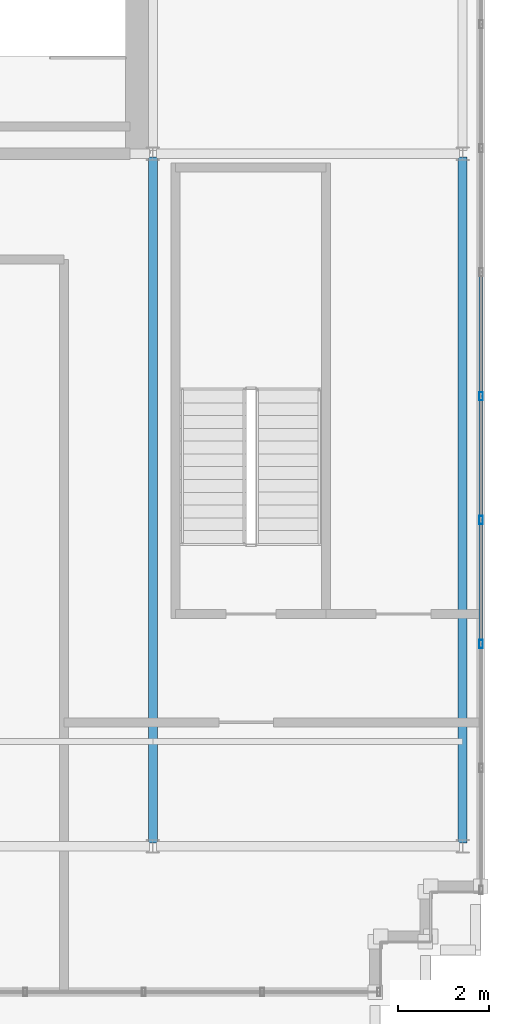
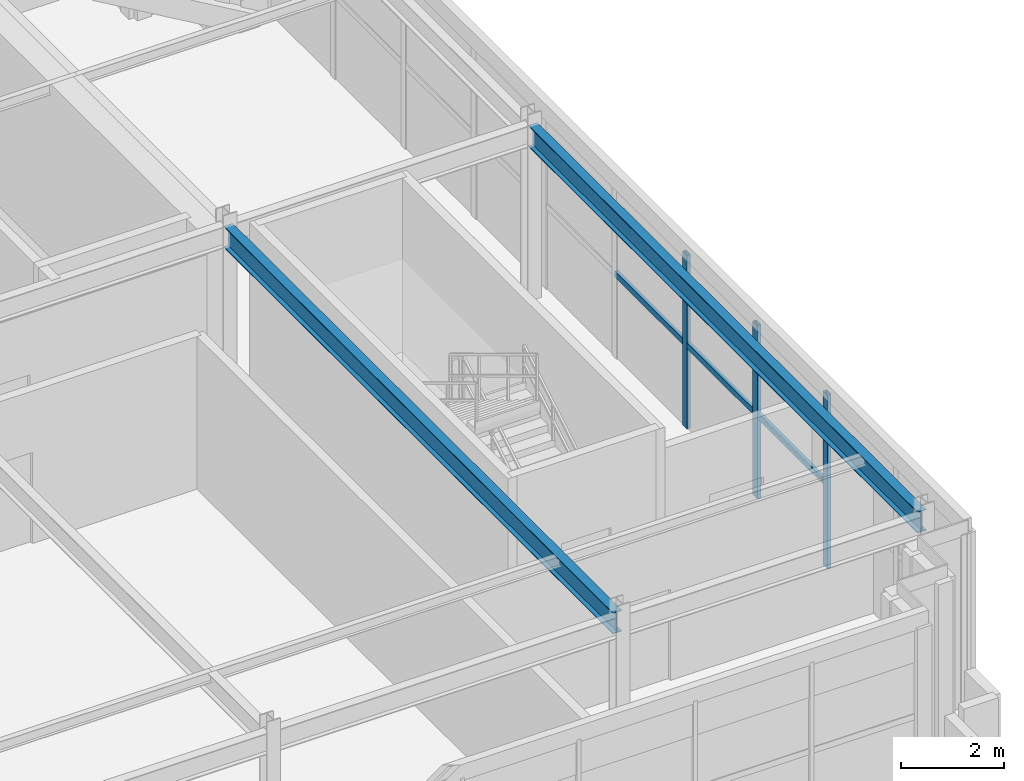
# One storey, part 19 of 37: 6 members, 2 beams, 1 element without a shape of its own.
"""IFC4 building model written with IfcOpenShell, lengths in metres."""

from ifc_helpers import new_model, si_unit, direction, frame, origin, origin_2d, place, context, subcontext, project, spatial, hollow_rectangle, i_section, extrude, source, transform, mapped, material, material_profile, profile_set, type_object, element, aggregate, save


model = new_model("IFC4")

# Units and contexts
model_context = context("Model", 3, precision=1e-05, world=origin(), true_north=direction((0.0, 1.0)))
body_context = subcontext(model_context, "Body", "Model", "MODEL_VIEW")
ifc_project = project(units=[si_unit("LENGTHUNIT", "METRE"), si_unit("AREAUNIT", "SQUARE_METRE"), si_unit("VOLUMEUNIT", "CUBIC_METRE"), si_unit("PLANEANGLEUNIT", "RADIAN"), si_unit("MASSUNIT", "GRAM", prefix="KILO")], contexts=[model_context])

# Site, building, storey
site_placement = place(None, origin())
site = spatial("IfcSite", under=ifc_project, at=site_placement, CompositionType="ELEMENT")
building_placement = place(site_placement, origin())
building = spatial("IfcBuilding", under=site, at=building_placement, Name="Trelvane Seafront Commons", CompositionType="ELEMENT")
storey_placement = place(building_placement, frame((0.0, 0.0, 303.5)))
storey = spatial("IfcBuildingStorey", under=building, at=storey_placement, Name="L79", CompositionType="ELEMENT", Elevation=303.5)

# Beams
ifc_material_1 = material(Name="Steel SM355 (S355)", Category="steel")
ifc_material_profile_1 = material_profile(ifc_material_1, i_section(OverallWidth=0.199951171875, OverallDepth=0.5, WebThickness=0.010009765625, FlangeThickness=0.01611328125, at=origin_2d()), Name="H-500x200x10x16")
ifc_profile_set_1 = profile_set([ifc_material_profile_1], Name="Steel SM355 (S355)")
beam_type = type_object("IfcBeamType", Name="STR-BM-H500", PredefinedType="BEAM", material=ifc_profile_set_1)
shared_shape_1 = source(origin(), body_context, "Body", "SweptSolid", [
    extrude(i_section(OverallWidth=0.199951171875, OverallDepth=0.5, WebThickness=0.010009765625, FlangeThickness=0.01611328125, at=origin_2d()), origin(), (0.0, 0.0, 1.0), 15.050048828125),
])
for number, where, z_axis, x_axis, name in (
    (1, (58.800048828125, 18.27490234375, 3.85009765625), (0.0, 1.0, 0.0), (-1.0, 0.0, 0.0), "L79 Primary Girder G-34"),
    (2, (65.60009765625, 18.27490234375, 3.85009765625), (0.0, 1.0, 0.0), (-1.0, 0.0, 0.0), "L79 Primary Girder G-36"),
):
    element("IfcBeam", number, at=place(storey_placement, frame(where, z_axis=z_axis, x_axis=x_axis)), inside=storey, type_object=beam_type, Name=name, PredefinedType="BEAM", context=body_context, shape_type="MappedRepresentation", body=[
        mapped(shared_shape_1, transform((0.0, 0.0, 0.0), x_axis=(1.0, 0.0, 0.0), y_axis=(0.0, 1.0, 0.0), z_axis=(0.0, 0.0, 1.0), scale=1.0)),
    ])

# Curtain wall, members
ifc_material_2 = material(Name="Anodised pale-silver aluminium", Category="aluminium")
curtain_wall_type = type_object("IfcCurtainWallType", Name="ARCH-CW6-CROWN", PredefinedType="NOTDEFINED", material=ifc_material_2)
curtain_wall_placement = place(storey_placement, origin())
curtain_wall = element("IfcCurtainWall", 3, at=curtain_wall_placement, inside=storey, type_object=curtain_wall_type, Name="CW-L79-0130", PredefinedType="NOTDEFINED")
ifc_material_profile_2 = material_profile(ifc_material_2, hollow_rectangle(XDim=0.080078125, YDim=0.179931640625, WallThickness=0.00439453125, at=origin_2d()), Name="MULL-80x180x4.5")
ifc_profile_set_2 = profile_set([ifc_material_profile_2], Name="Anodised pale-silver aluminium")
member_type_1 = type_object("IfcMemberType", Name="ARCH-CW-MULL-180", PredefinedType="MULLION", material=ifc_profile_set_2)
shared_shape_2 = source(origin(), body_context, "Body", "SweptSolid", [
    extrude(hollow_rectangle(XDim=0.080078125, YDim=0.179931640625, WallThickness=0.00439453125, at=origin_2d()), origin(), (0.0, 0.0, 1.0), 4.10009765625),
])
member_1_placement = place(storey_placement, frame((66.0, 28.080078125, 0.0), z_axis=(0.0, 0.0, 1.0), x_axis=(1.0, 0.0, 0.0)))
member_1 = element("IfcMember", 4, at=member_1_placement, type_object=member_type_1, Name="CW-L79-0130-M06", PredefinedType="MULLION", context=body_context, shape_type="MappedRepresentation", body=[
    mapped(shared_shape_2, transform((0.0, 0.0, 0.0), x_axis=(1.0, 0.0, 0.0), y_axis=(0.0, 1.0, 0.0), z_axis=(0.0, 0.0, 1.0), scale=1.0)),
])
member_2_placement = place(storey_placement, frame((66.0, 25.360107421875, 0.0), z_axis=(0.0, 0.0, 1.0), x_axis=(1.0, 0.0, 0.0)))
member_2 = element("IfcMember", 5, at=member_2_placement, type_object=member_type_1, Name="CW-L79-0130-M07", PredefinedType="MULLION", context=body_context, shape_type="MappedRepresentation", body=[
    mapped(shared_shape_2, transform((0.0, 0.0, 0.0), x_axis=(1.0, 0.0, 0.0), y_axis=(0.0, 1.0, 0.0), z_axis=(0.0, 0.0, 1.0), scale=1.0)),
])
member_3_placement = place(storey_placement, frame((66.0, 22.639892578125, 0.0), z_axis=(0.0, 0.0, 1.0), x_axis=(1.0, 0.0, 0.0)))
member_3 = element("IfcMember", 6, at=member_3_placement, type_object=member_type_1, Name="CW-L79-0130-M08", PredefinedType="MULLION", context=body_context, shape_type="MappedRepresentation", body=[
    mapped(shared_shape_2, transform((0.0, 0.0, 0.0), x_axis=(1.0, 0.0, 0.0), y_axis=(0.0, 1.0, 0.0), z_axis=(0.0, 0.0, 1.0), scale=1.0)),
])
ifc_material_profile_3 = material_profile(ifc_material_2, hollow_rectangle(XDim=0.074951171875, YDim=0.139892578125, WallThickness=0.00390625, at=origin_2d()), Name="TRAN-75x140x4")
ifc_profile_set_3 = profile_set([ifc_material_profile_3], Name="Anodised pale-silver aluminium")
member_type_2 = type_object("IfcMemberType", Name="ARCH-CW-TRAN-140", PredefinedType="USERDEFINED", material=ifc_profile_set_3)
shared_shape_3 = source(origin(), body_context, "Body", "SweptSolid", [
    extrude(hollow_rectangle(XDim=0.074951171875, YDim=0.139892578125, WallThickness=0.00390625, at=origin_2d()), origin(), (0.0, 0.0, 1.0), 2.696044921875),
])
member_4_placement = place(storey_placement, frame((66.0, 30.7880859375, 1.968017578125), z_axis=(0.0, -1.0, 0.0), x_axis=(1.0, 0.0, 0.0)))
member_4 = element("IfcMember", 7, at=member_4_placement, type_object=member_type_2, Name="CW-L79-0130-T05", ObjectType="TRANSOM", PredefinedType="USERDEFINED", context=body_context, shape_type="MappedRepresentation", body=[
    mapped(shared_shape_3, transform((0.0, 0.0, 0.0), x_axis=(1.0, 0.0, 0.0), y_axis=(0.0, 1.0, 0.0), z_axis=(0.0, 0.0, 1.0), scale=1.0)),
])
member_5_placement = place(storey_placement, frame((66.0, 28.068115234375, 1.968017578125), z_axis=(0.0, -1.0, 0.0), x_axis=(1.0, 0.0, 0.0)))
member_5 = element("IfcMember", 8, at=member_5_placement, type_object=member_type_2, Name="CW-L79-0130-T06", ObjectType="TRANSOM", PredefinedType="USERDEFINED", context=body_context, shape_type="MappedRepresentation", body=[
    mapped(shared_shape_3, transform((0.0, 0.0, 0.0), x_axis=(1.0, 0.0, 0.0), y_axis=(0.0, 1.0, 0.0), z_axis=(0.0, 0.0, 1.0), scale=1.0)),
])
shared_shape_4 = source(origin(), body_context, "Body", "SweptSolid", [
    extrude(hollow_rectangle(XDim=0.074951171875, YDim=0.139892578125, WallThickness=0.00390625, at=origin_2d()), origin(), (0.0, 0.0, 1.0), 2.69580078125),
])
member_6_placement = place(storey_placement, frame((66.0, 25.347900390625, 1.968017578125), z_axis=(0.0, -1.0, 0.0), x_axis=(1.0, 0.0, 0.0)))
member_6 = element("IfcMember", 9, at=member_6_placement, type_object=member_type_2, Name="CW-L79-0130-T07", ObjectType="TRANSOM", PredefinedType="USERDEFINED", context=body_context, shape_type="MappedRepresentation", body=[
    mapped(shared_shape_4, transform((0.0, 0.0, 0.0), x_axis=(1.0, 0.0, 0.0), y_axis=(0.0, 1.0, 0.0), z_axis=(0.0, 0.0, 1.0), scale=1.0)),
])
aggregate(curtain_wall, [member_1, member_2, member_3, member_4, member_5, member_6])

save(model, "model.ifc")
